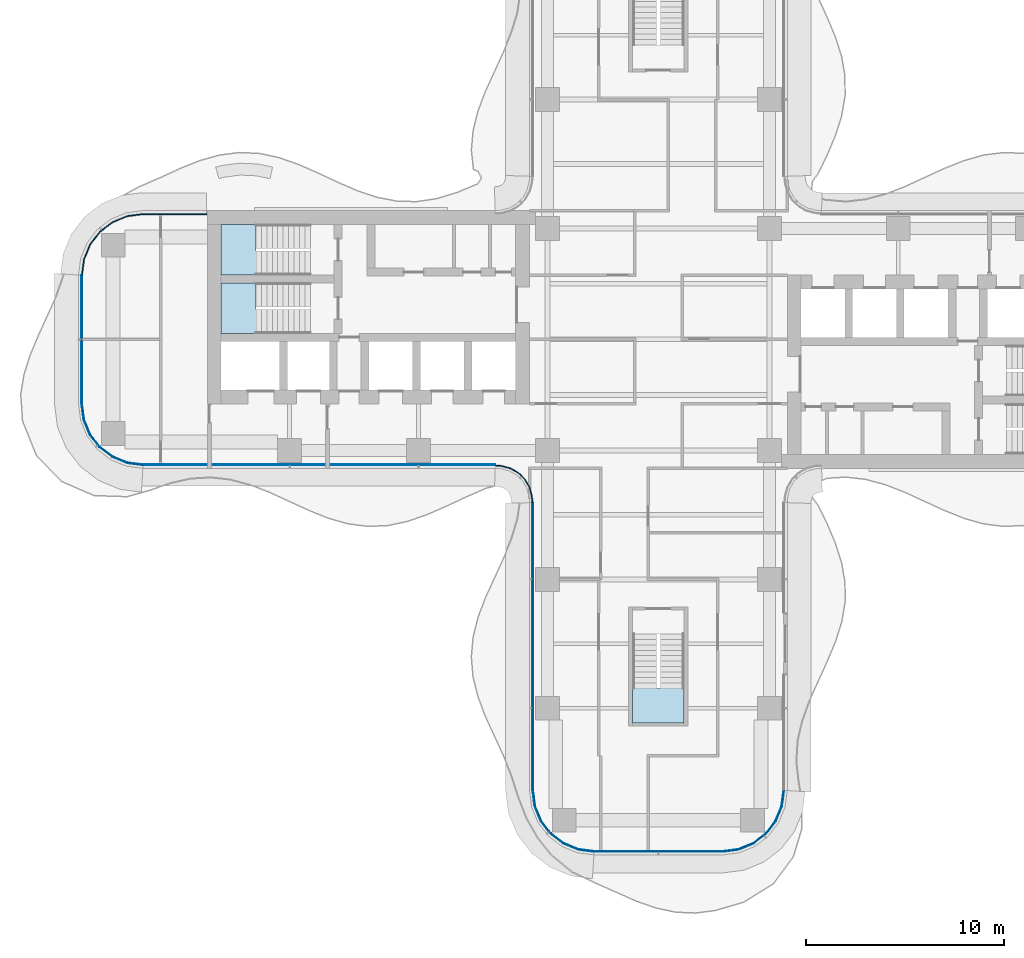
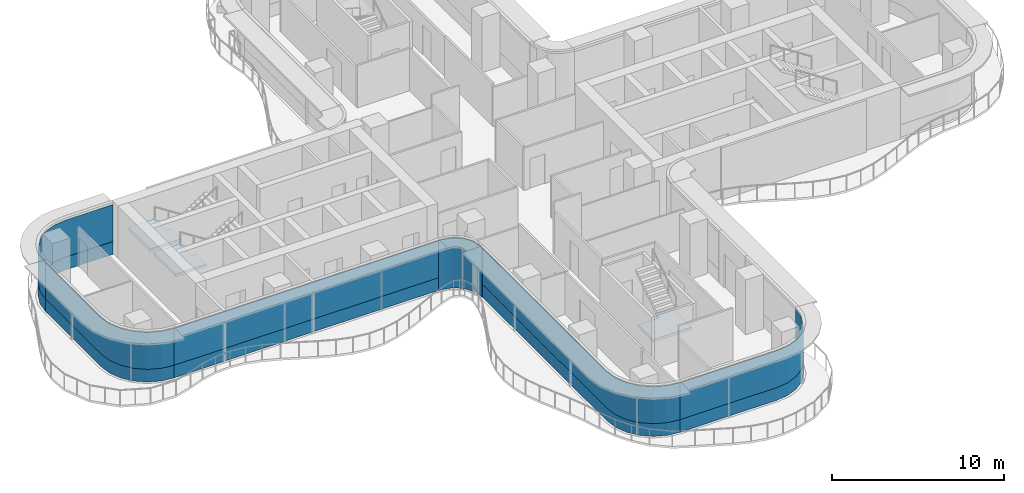
# One storey, part 9 of 17: 11 plates, 3 slabs, 9 elements without a shape of their own.
"""IFC4 building model written with IfcOpenShell, lengths in metres."""

from ifc_helpers import new_model, si_unit, direction, frame, origin, place, context, subcontext, project, spatial, polyline, outline, extrude, source, transform, mapped, material, layer, layer_set, type_object, element, aggregate, save


model = new_model("IFC4")

# Units and contexts
model_context = context("Model", 3, precision=1e-05, world=origin(), true_north=direction((0.0, 1.0)))
body_context = subcontext(model_context, "Body", "Model", "MODEL_VIEW")
ifc_project = project(units=[si_unit("LENGTHUNIT", "METRE"), si_unit("AREAUNIT", "SQUARE_METRE"), si_unit("VOLUMEUNIT", "CUBIC_METRE"), si_unit("PLANEANGLEUNIT", "RADIAN"), si_unit("MASSUNIT", "GRAM", prefix="KILO")], contexts=[model_context])

# Site, building, storey
site_placement = place(None, origin())
site = spatial("IfcSite", under=ifc_project, at=site_placement, CompositionType="ELEMENT")
building_placement = place(site_placement, origin())
building = spatial("IfcBuilding", under=site, at=building_placement, Name="Trellis Farm Tower", CompositionType="ELEMENT")
storey_placement = place(building_placement, frame((0.0, 0.0, 185.39990234375)))
storey = spatial("IfcBuildingStorey", under=building, at=storey_placement, Name="L40", CompositionType="ELEMENT", Elevation=185.39990234375)

# Stair, slab
ifc_material_1 = material(Name="Concrete C50/60", Category="concrete")
stair_type = type_object("IfcStairType", Name="CORE EXIT STAIR 22 RISERS 177 MM", PredefinedType="HALF_TURN_STAIR", material=ifc_material_1)
placement_1 = place(storey_placement, origin())
stair_1 = element("IfcStair", 1, at=placement_1, inside=storey, type_object=stair_type, Name="Exit stair S", PredefinedType="HALF_TURN_STAIR")
ifc_layer_1 = layer(ifc_material_1, 0.18994140625)
ifc_layer_set_1 = layer_set([ifc_layer_1], Name="CORE STAIR LANDING 190 CONCRETE C50/60")
slab_type = type_object("IfcSlabType", Name="CORE STAIR LANDING 190 CONCRETE C50/60", PredefinedType="LANDING", material=ifc_layer_set_1)
shared_shape_1 = source(origin(), body_context, "Body", "SweptSolid", [
    extrude(outline(polyline([(1.300048828125, -19.35009765625), (-1.300048828125, -19.35009765625), (-1.300048828125, -17.60009765625), (-1.300048828125, -17.590087890625), (-0.10009765625, -17.590087890625), (-0.10009765625, -17.60009765625), (0.10009765625, -17.60009765625), (0.10009765625, -17.27197265625), (1.300048828125, -17.27197265625), (1.300048828125, -17.60009765625), (1.300048828125, -19.35009765625)])), origin(), (0.0, 0.0, 1.0), 0.190185546875),
])
placement_2 = place(storey_placement, frame((0.0, 0.0, 1.760009765625)))
slab_1 = element("IfcSlab", 2, at=placement_2, type_object=slab_type, Name="STS landing 1", PredefinedType="LANDING", context=body_context, shape_type="MappedRepresentation", body=[
    mapped(shared_shape_1, transform((0.0, 0.0, 0.0))),
])
aggregate(stair_1, [slab_1])

stair_2 = element("IfcStair", 3, at=placement_1, inside=storey, type_object=stair_type, Name="Exit stair W1", PredefinedType="HALF_TURN_STAIR")
shared_shape_2 = source(origin(), body_context, "Body", "SweptSolid", [
    extrude(outline(polyline([(-19.971923828125, 4.449951171875), (-19.971923828125, 3.25), (-20.300048828125, 3.25), (-22.050048828125, 3.25), (-22.050048828125, 5.800048828125), (-20.300048828125, 5.800048828125), (-20.2900390625, 5.800048828125), (-20.2900390625, 4.60009765625), (-20.300048828125, 4.60009765625), (-20.300048828125, 4.449951171875), (-19.971923828125, 4.449951171875)])), origin(), (0.0, 0.0, 1.0), 0.190185546875),
])
slab_2 = element("IfcSlab", 4, at=placement_2, type_object=slab_type, Name="STW1 landing 1", PredefinedType="LANDING", context=body_context, shape_type="MappedRepresentation", body=[
    mapped(shared_shape_2, transform((0.0, 0.0, 0.0))),
])
aggregate(stair_2, [slab_2])

stair_3 = element("IfcStair", 5, at=placement_1, inside=storey, type_object=stair_type, Name="Exit stair W2", PredefinedType="HALF_TURN_STAIR")
shared_shape_3 = source(origin(), body_context, "Body", "SweptSolid", [
    extrude(outline(polyline([(-19.971923828125, 1.5), (-19.971923828125, 0.300048828125), (-20.300048828125, 0.300048828125), (-22.050048828125, 0.300048828125), (-22.050048828125, 2.85009765625), (-20.300048828125, 2.85009765625), (-20.2900390625, 2.85009765625), (-20.2900390625, 1.64990234375), (-20.300048828125, 1.64990234375), (-20.300048828125, 1.5), (-19.971923828125, 1.5)])), origin(), (0.0, 0.0, 1.0), 0.190185546875),
])
slab_3 = element("IfcSlab", 6, at=placement_2, type_object=slab_type, Name="STW2 landing 1", PredefinedType="LANDING", context=body_context, shape_type="MappedRepresentation", body=[
    mapped(shared_shape_3, transform((0.0, 0.0, 0.0))),
])
aggregate(stair_3, [slab_3])

# Curtain wall, plate
ifc_material_2 = material(Name="Aluminium and glass curtain wall", Category="aluminium")
ifc_layer_2 = layer(ifc_material_2, 0.166015625)
ifc_layer_set_2 = layer_set([ifc_layer_2], Name="WINTER GARDEN CURTAIN WALL CW3")
curtain_wall_type_1 = type_object("IfcCurtainWallType", Name="WINTER GARDEN CURTAIN WALL CW3", PredefinedType="NOTDEFINED", material=ifc_layer_set_2)
curtain_wall_1 = element("IfcCurtainWall", 7, at=placement_1, inside=storey, type_object=curtain_wall_type_1, Name="CW3 001", PredefinedType="NOTDEFINED")
ifc_material_3 = material(Name="Clear insulated glass", Category="glass")
ifc_layer_3 = layer(ifc_material_3, 0.0458984375)
ifc_layer_set_3 = layer_set([ifc_layer_3], Name="CW3 GLASS PANEL 46")
plate_type_1 = type_object("IfcPlateType", Name="CW3 GLASS PANEL 46", PredefinedType="CURTAIN_PANEL", material=ifc_layer_set_3)
shared_shape_4 = source(origin(), body_context, "Body", "SweptSolid", [
    extrude(outline(polyline([(-8.2275390625, -6.3798828125), (-8.0078125, -6.394287109375), (-7.89208984375, -6.40966796875), (-7.462158203125, -6.52490234375), (-7.070556640625, -6.7509765625), (-6.7509765625, -7.070556640625), (-6.52490234375, -7.462158203125), (-6.40966796875, -7.89208984375), (-6.394287109375, -8.0078125), (-6.3798828125, -8.2275390625), (-6.333984375, -8.22607421875), (-6.3486328125, -8.003173828125), (-6.364501953125, -7.883056640625), (-6.48193359375, -7.4443359375), (-6.714111328125, -7.04248046875), (-7.04248046875, -6.714111328125), (-7.4443359375, -6.48193359375), (-7.883056640625, -6.364501953125), (-8.003173828125, -6.3486328125), (-8.22607421875, -6.333984375), (-8.2275390625, -6.3798828125)])), origin(), (0.0, 0.0, 1.0), 3.550048828125),
])
plate_1 = element("IfcPlate", 8, at=placement_1, type_object=plate_type_1, Name="PL3 001", PredefinedType="CURTAIN_PANEL", context=body_context, shape_type="MappedRepresentation", body=[
    mapped(shared_shape_4, transform((0.0, 0.0, 0.0))),
])
aggregate(curtain_wall_1, [plate_1])

# Curtain wall, plates
ifc_layer_4 = layer(ifc_material_2, 0.18994140625)
ifc_layer_set_4 = layer_set([ifc_layer_4], Name="RIBBON CURTAIN WALL CW1")
curtain_wall_type_2 = type_object("IfcCurtainWallType", Name="RIBBON CURTAIN WALL CW1", PredefinedType="NOTDEFINED", material=ifc_layer_set_4)
curtain_wall_2 = element("IfcCurtainWall", 9, at=placement_1, inside=storey, type_object=curtain_wall_type_2, Name="CW1 001", PredefinedType="NOTDEFINED")
ifc_layer_5 = layer(ifc_material_3, 0.0400390625)
ifc_layer_set_5 = layer_set([ifc_layer_5], Name="CW1 GLASS PANEL 40")
plate_type_2 = type_object("IfcPlateType", Name="CW1 GLASS PANEL 40", PredefinedType="CURTAIN_PANEL", material=ifc_layer_set_5)
shared_shape_5 = source(origin(), body_context, "Body", "SweptSolid", [
    extrude(outline(polyline([(-25.990234375, -6.35009765625), (-8.2265625, -6.35009765625), (-8.22509765625, -6.31005859375), (-25.987548828125, -6.31005859375), (-25.990234375, -6.35009765625)])), origin(), (0.0, 0.0, 1.0), 2.619873046875),
])
placement_3 = place(storey_placement, frame((0.0, 0.0, 0.900146484375)))
plate_2 = element("IfcPlate", 10, at=placement_3, type_object=plate_type_2, Name="PL1 001", PredefinedType="CURTAIN_PANEL", context=body_context, shape_type="MappedRepresentation", body=[
    mapped(shared_shape_5, transform((0.0, 0.0, 0.0))),
])
ifc_material_4 = material(Name="Sandstone faced insulated panel", Category="masonry")
ifc_layer_6 = layer(ifc_material_4, 0.050048828125)
ifc_layer_set_6 = layer_set([ifc_layer_6], Name="CW1 STONE SPANDREL PANEL 50")
plate_type_3 = type_object("IfcPlateType", Name="CW1 STONE SPANDREL PANEL 50", PredefinedType="CURTAIN_PANEL", material=ifc_layer_set_6)
shared_shape_6 = source(origin(), body_context, "Body", "SweptSolid", [
    extrude(outline(polyline([(-25.990234375, -6.35009765625), (-8.2265625, -6.35009765625), (-8.224853515625, -6.300048828125), (-25.98681640625, -6.300048828125), (-25.990234375, -6.35009765625)])), origin(), (0.0, 0.0, 1.0), 0.900146484375),
])
plate_3 = element("IfcPlate", 11, at=placement_1, type_object=plate_type_3, Name="PS1 001", PredefinedType="CURTAIN_PANEL", context=body_context, shape_type="MappedRepresentation", body=[
    mapped(shared_shape_6, transform((0.0, 0.0, 0.0))),
])
aggregate(curtain_wall_2, [plate_2, plate_3])

curtain_wall_3 = element("IfcCurtainWall", 12, at=placement_1, inside=storey, type_object=curtain_wall_type_2, Name="CW1 002", PredefinedType="NOTDEFINED")
shared_shape_7 = source(origin(), body_context, "Body", "SweptSolid", [
    extrude(outline(polyline([(-6.35009765625, -8.2265625), (-6.35009765625, -22.740234375), (-6.2431640625, -23.552001953125), (-5.93359375, -24.29931640625), (-5.441162109375, -24.941162109375), (-4.79931640625, -25.43359375), (-4.052001953125, -25.7431640625), (-3.240234375, -25.85009765625), (-3.237548828125, -25.81005859375), (-4.04150390625, -25.7041015625), (-4.779296875, -25.398681640625), (-5.41259765625, -24.91259765625), (-5.898681640625, -24.279296875), (-6.2041015625, -23.54150390625), (-6.31005859375, -22.737548828125), (-6.31005859375, -8.22509765625), (-6.35009765625, -8.2265625)])), origin(), (0.0, 0.0, 1.0), 2.619873046875),
])
plate_4 = element("IfcPlate", 13, at=placement_3, type_object=plate_type_2, Name="PL1 002", PredefinedType="CURTAIN_PANEL", context=body_context, shape_type="MappedRepresentation", body=[
    mapped(shared_shape_7, transform((0.0, 0.0, 0.0))),
])
shared_shape_8 = source(origin(), body_context, "Body", "SweptSolid", [
    extrude(outline(polyline([(-6.35009765625, -8.2265625), (-6.35009765625, -22.740234375), (-6.2431640625, -23.552001953125), (-5.93359375, -24.29931640625), (-5.441162109375, -24.941162109375), (-4.79931640625, -25.43359375), (-4.052001953125, -25.7431640625), (-3.240234375, -25.85009765625), (-3.23681640625, -25.800048828125), (-4.0390625, -25.6943359375), (-4.774169921875, -25.389892578125), (-5.405517578125, -24.905517578125), (-5.889892578125, -24.274169921875), (-6.1943359375, -23.5390625), (-6.300048828125, -22.73681640625), (-6.300048828125, -8.224853515625), (-6.35009765625, -8.2265625)])), origin(), (0.0, 0.0, 1.0), 0.900146484375),
])
plate_5 = element("IfcPlate", 14, at=placement_1, type_object=plate_type_3, Name="PS1 002", PredefinedType="CURTAIN_PANEL", context=body_context, shape_type="MappedRepresentation", body=[
    mapped(shared_shape_8, transform((0.0, 0.0, 0.0))),
])
aggregate(curtain_wall_3, [plate_4, plate_5])

curtain_wall_4 = element("IfcCurtainWall", 15, at=placement_1, inside=storey, type_object=curtain_wall_type_2, Name="CW1 003", PredefinedType="NOTDEFINED")
shared_shape_9 = source(origin(), body_context, "Body", "SweptSolid", [
    extrude(outline(polyline([(-3.240234375, -25.85009765625), (3.240234375, -25.85009765625), (4.052001953125, -25.7431640625), (4.79931640625, -25.43359375), (5.441162109375, -24.941162109375), (5.93359375, -24.29931640625), (6.2431640625, -23.552001953125), (6.35009765625, -22.740234375), (6.31005859375, -22.737548828125), (6.2041015625, -23.54150390625), (5.898681640625, -24.279296875), (5.41259765625, -24.91259765625), (4.779296875, -25.398681640625), (4.04150390625, -25.7041015625), (3.237548828125, -25.81005859375), (-3.237548828125, -25.81005859375), (-3.240234375, -25.85009765625)])), origin(), (0.0, 0.0, 1.0), 2.619873046875),
])
plate_6 = element("IfcPlate", 16, at=placement_3, type_object=plate_type_2, Name="PL1 003", PredefinedType="CURTAIN_PANEL", context=body_context, shape_type="MappedRepresentation", body=[
    mapped(shared_shape_9, transform((0.0, 0.0, 0.0))),
])
shared_shape_10 = source(origin(), body_context, "Body", "SweptSolid", [
    extrude(outline(polyline([(-3.240234375, -25.85009765625), (3.240234375, -25.85009765625), (4.052001953125, -25.7431640625), (4.79931640625, -25.43359375), (5.441162109375, -24.941162109375), (5.93359375, -24.29931640625), (6.2431640625, -23.552001953125), (6.35009765625, -22.740234375), (6.300048828125, -22.73681640625), (6.1943359375, -23.5390625), (5.889892578125, -24.274169921875), (5.405517578125, -24.905517578125), (4.774169921875, -25.389892578125), (4.0390625, -25.6943359375), (3.23681640625, -25.800048828125), (-3.23681640625, -25.800048828125), (-3.240234375, -25.85009765625)])), origin(), (0.0, 0.0, 1.0), 0.900146484375),
])
plate_7 = element("IfcPlate", 17, at=placement_1, type_object=plate_type_3, Name="PS1 003", PredefinedType="CURTAIN_PANEL", context=body_context, shape_type="MappedRepresentation", body=[
    mapped(shared_shape_10, transform((0.0, 0.0, 0.0))),
])
aggregate(curtain_wall_4, [plate_6, plate_7])

curtain_wall_5 = element("IfcCurtainWall", 18, at=placement_1, inside=storey, type_object=curtain_wall_type_2, Name="CW1 013", PredefinedType="NOTDEFINED")
shared_shape_11 = source(origin(), body_context, "Body", "SweptSolid", [
    extrude(outline(polyline([(-22.780029296875, 6.35009765625), (-25.990234375, 6.35009765625), (-26.802001953125, 6.2431640625), (-27.54931640625, 5.93359375), (-28.191162109375, 5.441162109375), (-28.68359375, 4.79931640625), (-28.9931640625, 4.052001953125), (-29.10009765625, 3.240234375), (-29.06005859375, 3.237548828125), (-28.9541015625, 4.04150390625), (-28.648681640625, 4.779296875), (-28.16259765625, 5.41259765625), (-27.529296875, 5.898681640625), (-26.79150390625, 6.2041015625), (-25.987548828125, 6.31005859375), (-22.780029296875, 6.31005859375), (-22.780029296875, 6.35009765625)])), origin(), (0.0, 0.0, 1.0), 2.619873046875),
])
plate_8 = element("IfcPlate", 19, at=placement_3, type_object=plate_type_2, Name="PL1 013", PredefinedType="CURTAIN_PANEL", context=body_context, shape_type="MappedRepresentation", body=[
    mapped(shared_shape_11, transform((0.0, 0.0, 0.0))),
])
shared_shape_12 = source(origin(), body_context, "Body", "SweptSolid", [
    extrude(outline(polyline([(-22.780029296875, 6.35009765625), (-25.990234375, 6.35009765625), (-26.802001953125, 6.2431640625), (-27.54931640625, 5.93359375), (-28.191162109375, 5.441162109375), (-28.68359375, 4.79931640625), (-28.9931640625, 4.052001953125), (-29.10009765625, 3.240234375), (-29.050048828125, 3.23681640625), (-28.9443359375, 4.0390625), (-28.639892578125, 4.774169921875), (-28.155517578125, 5.405517578125), (-27.524169921875, 5.889892578125), (-26.7890625, 6.1943359375), (-25.98681640625, 6.300048828125), (-22.780029296875, 6.300048828125), (-22.780029296875, 6.35009765625)])), origin(), (0.0, 0.0, 1.0), 0.900146484375),
])
plate_9 = element("IfcPlate", 20, at=placement_1, type_object=plate_type_3, Name="PS1 013", PredefinedType="CURTAIN_PANEL", context=body_context, shape_type="MappedRepresentation", body=[
    mapped(shared_shape_12, transform((0.0, 0.0, 0.0))),
])
aggregate(curtain_wall_5, [plate_8, plate_9])

curtain_wall_6 = element("IfcCurtainWall", 21, at=placement_1, inside=storey, type_object=curtain_wall_type_2, Name="CW1 014", PredefinedType="NOTDEFINED")
shared_shape_13 = source(origin(), body_context, "Body", "SweptSolid", [
    extrude(outline(polyline([(-29.10009765625, 3.240234375), (-29.10009765625, -3.240234375), (-28.9931640625, -4.052001953125), (-28.68359375, -4.79931640625), (-28.191162109375, -5.441162109375), (-27.54931640625, -5.93359375), (-26.802001953125, -6.2431640625), (-25.990234375, -6.35009765625), (-25.987548828125, -6.31005859375), (-26.79150390625, -6.2041015625), (-27.529296875, -5.898681640625), (-28.16259765625, -5.41259765625), (-28.648681640625, -4.779296875), (-28.9541015625, -4.04150390625), (-29.06005859375, -3.237548828125), (-29.06005859375, 3.237548828125), (-29.10009765625, 3.240234375)])), origin(), (0.0, 0.0, 1.0), 2.619873046875),
])
plate_10 = element("IfcPlate", 22, at=placement_3, type_object=plate_type_2, Name="PL1 014", PredefinedType="CURTAIN_PANEL", context=body_context, shape_type="MappedRepresentation", body=[
    mapped(shared_shape_13, transform((0.0, 0.0, 0.0))),
])
shared_shape_14 = source(origin(), body_context, "Body", "SweptSolid", [
    extrude(outline(polyline([(-29.10009765625, 3.240234375), (-29.10009765625, -3.240234375), (-28.9931640625, -4.052001953125), (-28.68359375, -4.79931640625), (-28.191162109375, -5.441162109375), (-27.54931640625, -5.93359375), (-26.802001953125, -6.2431640625), (-25.990234375, -6.35009765625), (-25.98681640625, -6.300048828125), (-26.7890625, -6.1943359375), (-27.524169921875, -5.889892578125), (-28.155517578125, -5.405517578125), (-28.639892578125, -4.774169921875), (-28.9443359375, -4.0390625), (-29.050048828125, -3.23681640625), (-29.050048828125, 3.23681640625), (-29.10009765625, 3.240234375)])), origin(), (0.0, 0.0, 1.0), 0.900146484375),
])
plate_11 = element("IfcPlate", 23, at=placement_1, type_object=plate_type_3, Name="PS1 014", PredefinedType="CURTAIN_PANEL", context=body_context, shape_type="MappedRepresentation", body=[
    mapped(shared_shape_14, transform((0.0, 0.0, 0.0))),
])
aggregate(curtain_wall_6, [plate_10, plate_11])

save(model, "model.ifc")
